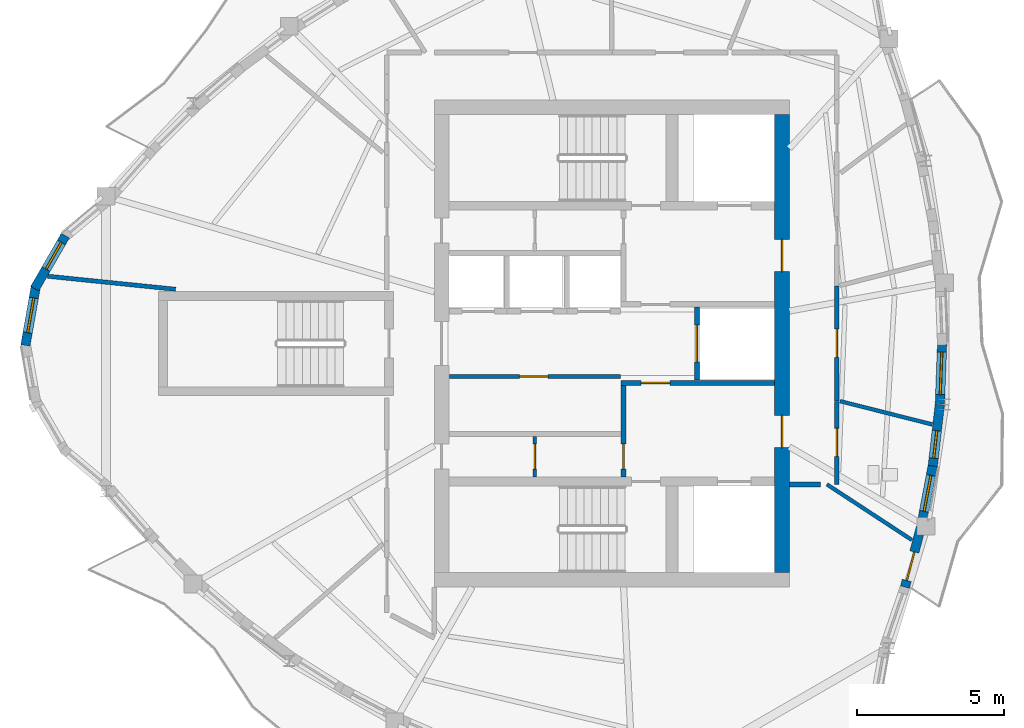
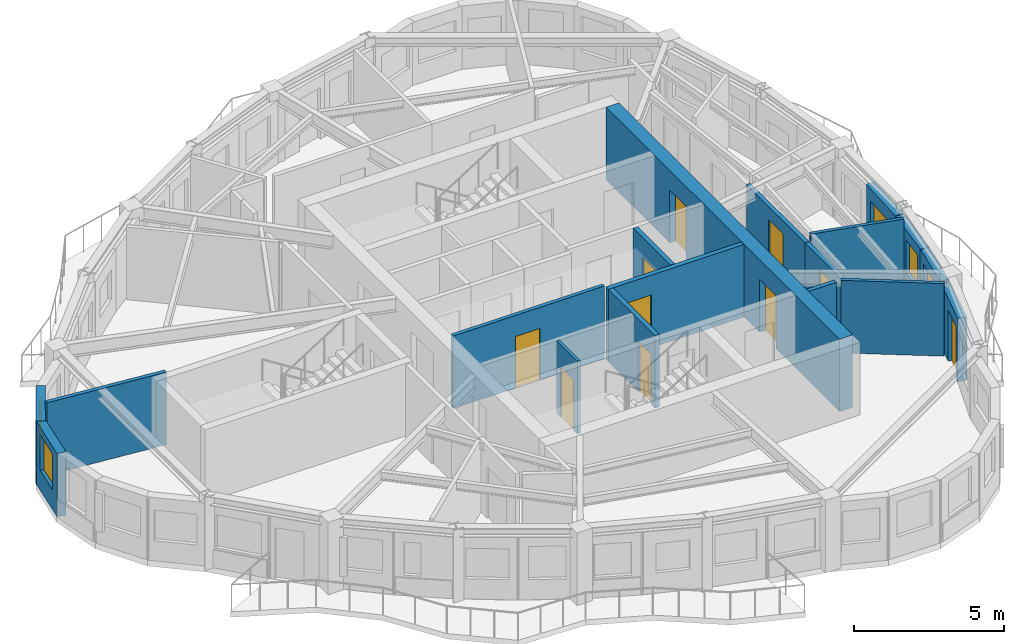
# One storey, part 4 of 11: 18 walls, 10 doors, 5 windows, 15 openings.
"""IFC4 building model written with IfcOpenShell, lengths in metres."""

from ifc_helpers import new_model, si_unit, direction, frame, frame_2d, origin, place, context, subcontext, project, spatial, rectangle, extrude, source, transform, mapped, material, layer, layer_set, type_object, element, fill, save


model = new_model("IFC4")

# Units and contexts
model_context = context("Model", 3, precision=1e-05, world=origin(), true_north=direction((0.0, 1.0)))
body_context = subcontext(model_context, "Body", "Model", "MODEL_VIEW")
ifc_project = project(units=[si_unit("LENGTHUNIT", "METRE"), si_unit("AREAUNIT", "SQUARE_METRE"), si_unit("VOLUMEUNIT", "CUBIC_METRE"), si_unit("PLANEANGLEUNIT", "RADIAN"), si_unit("MASSUNIT", "GRAM", prefix="KILO")], contexts=[model_context])

# Site, building, storey
site_placement = place(None, origin())
site = spatial("IfcSite", under=ifc_project, at=site_placement, CompositionType="ELEMENT")
building_placement = place(site_placement, origin())
building = spatial("IfcBuilding", under=site, at=building_placement, Name="Qafzar Sky-Pleat Residences", CompositionType="ELEMENT")
storey_placement = place(building_placement, frame((0.0, 0.0, 234.0)))
storey = spatial("IfcBuildingStorey", under=building, at=storey_placement, Name="L70", CompositionType="ELEMENT", Elevation=234.0)

# Wall, opening, door
ifc_material_1 = material(Name="Acoustic gypsum plasterboard partition", Category="gypsum")
ifc_layer_1 = layer(ifc_material_1, 0.159912109375)
ifc_layer_set_1 = layer_set([ifc_layer_1], Name="Acoustic gypsum plasterboard partition")
wall_type_1 = type_object("IfcWallType", Name="PART-COR-160", PredefinedType="PARTITIONING", material=ifc_layer_set_1)
wall_1_placement = place(storey_placement, frame((38.02001953125, 27.968994140625, 0.0), z_axis=(0.0, 0.0, 1.0), x_axis=(0.0, -1.0, 0.0)))
wall_1 = element("IfcWall", 1, at=wall_1_placement, inside=storey, type_object=wall_type_1, Name="L70 Partition Wall PART-L70-PW-005", PredefinedType="PARTITIONING", context=body_context, shape_type="SweptSolid", body=[
    extrude(rectangle(XDim=3.919921875, YDim=0.159912109375, at=frame_2d((1.9599609375, 0.0))), origin(), (0.0, 0.0, 1.0), 2.6279296875),
])
opening_1_placement = place(wall_1_placement, frame((1.4794921875, 0.0, 0.0)))
opening_1 = element("IfcOpeningElement", 2, at=opening_1_placement, cuts=wall_1, Name="Opening ID-06", PredefinedType="OPENING", context=body_context, shape_type="SweptSolid", body=[
    extrude(rectangle(XDim=0.9599609375, YDim=2.10009765625, at=frame_2d((0.47998046875, 1.050048828125))), frame((0.0, 0.08984375, 0.0), z_axis=(0.0, -1.0, 0.0), x_axis=(1.0, 0.0, 0.0)), (0.0, 0.0, 1.0), 0.179931640625),
])
ifc_material_2 = material(Name="Timber-faced fire door", Category="wood")
door_type_1 = type_object("IfcDoorType", Name="DR-STD-960", OperationType="NOTDEFINED", PredefinedType="DOOR", material=ifc_material_2)
shared_shape_1 = source(origin(), body_context, "Body", "SweptSolid", [
    extrude(rectangle(XDim=0.9599609375, YDim=2.10009765625, at=frame_2d((0.47998046875, 1.050048828125))), frame((0.0, 0.02490234375, 0.0), z_axis=(0.0, -1.0, 0.0), x_axis=(1.0, 0.0, 0.0)), (0.0, 0.0, 1.0), 0.050048828125),
])
door_1_placement = place(opening_1_placement, origin())
door_1 = element("IfcDoor", 3, at=door_1_placement, inside=storey, type_object=door_type_1, Name="L70 Media Screening Room Door", OperationType="SINGLE_SWING_RIGHT", OverallHeight=2.10009765625, OverallWidth=0.9599609375, PredefinedType="DOOR", context=body_context, shape_type="MappedRepresentation", body=[
    mapped(shared_shape_1, transform((0.0, 0.0, 0.0), x_axis=(1.0, 0.0, 0.0), y_axis=(0.0, 1.0, 0.0), z_axis=(0.0, 0.0, 1.0), scale=1.0)),
])
fill(opening_1, door_1)

wall_2_placement = place(storey_placement, frame((38.02001953125, 24.033935546875, 0.0), z_axis=(0.0, 0.0, 1.0), x_axis=(0.0, -1.0, 0.0)))
wall_2 = element("IfcWall", 4, at=wall_2_placement, inside=storey, type_object=wall_type_1, Name="L70 Partition Wall PART-L70-PW-007", PredefinedType="PARTITIONING", context=body_context, shape_type="SweptSolid", body=[
    extrude(rectangle(XDim=2.833984375, YDim=0.159912109375, at=frame_2d((1.4169921875, 0.0))), origin(), (0.0, 0.0, 1.0), 2.6279296875),
])
opening_2_placement = place(wall_2_placement, frame((0.926513671875, 0.0, 0.0)))
opening_2 = element("IfcOpeningElement", 5, at=opening_2_placement, cuts=wall_2, Name="Opening ID-08", PredefinedType="OPENING", context=body_context, shape_type="SweptSolid", body=[
    extrude(rectangle(XDim=0.949951171875, YDim=2.10009765625, at=frame_2d((0.47509765625, 1.050048828125))), frame((0.0, 0.08984375, 0.0), z_axis=(0.0, -1.0, 0.0), x_axis=(1.0, 0.0, 0.0)), (0.0, 0.0, 1.0), 0.179931640625),
])
door_type_2 = type_object("IfcDoorType", Name="DR-AWC-950", OperationType="NOTDEFINED", PredefinedType="DOOR", material=ifc_material_2)
shared_shape_2 = source(origin(), body_context, "Body", "SweptSolid", [
    extrude(rectangle(XDim=0.949951171875, YDim=2.10009765625, at=frame_2d((0.47509765625, 1.050048828125))), frame((0.0, 0.02490234375, 0.0), z_axis=(0.0, -1.0, 0.0), x_axis=(1.0, 0.0, 0.0)), (0.0, 0.0, 1.0), 0.050048828125),
])
door_2_placement = place(opening_2_placement, origin())
door_2 = element("IfcDoor", 6, at=door_2_placement, inside=storey, type_object=door_type_2, Name="L70 Accessible Shared Washroom Door", OperationType="SINGLE_SWING_RIGHT", OverallHeight=2.10009765625, OverallWidth=0.949951171875, PredefinedType="DOOR", context=body_context, shape_type="MappedRepresentation", body=[
    mapped(shared_shape_2, transform((0.0, 0.0, 0.0), x_axis=(1.0, 0.0, 0.0), y_axis=(0.0, 1.0, 0.0), z_axis=(0.0, 0.0, 1.0), scale=1.0)),
])
fill(opening_2, door_2)

# Wall
wall_3_placement = place(storey_placement, frame((36.407958984375, 21.199951171875, 0.0), z_axis=(0.0, 0.0, 1.0), x_axis=(1.0, 0.0, 0.0)))
element("IfcWall", 7, at=wall_3_placement, inside=storey, type_object=wall_type_1, Name="L70 Partition Wall PART-L70-PW-027", PredefinedType="PARTITIONING", context=body_context, shape_type="SweptSolid", body=[
    extrude(rectangle(XDim=1.06103515625, YDim=0.159912109375, at=frame_2d((0.530517578125, 0.0))), origin(), (0.0, 0.0, 1.0), 2.9599609375),
])

# Wall, opening, door
ifc_material_3 = material(Name="Concrete blockwork partition", Category="masonry")
ifc_layer_2 = layer(ifc_material_3, 0.179931640625)
ifc_layer_set_2 = layer_set([ifc_layer_2], Name="Concrete blockwork partition")
wall_type_2 = type_object("IfcWallType", Name="PART-SHAFT-180", PredefinedType="PARTITIONING", material=ifc_layer_set_2)
wall_4_placement = place(storey_placement, frame((30.75, 21.4599609375, 0.0), z_axis=(0.0, 0.0, 1.0), x_axis=(0.0, 1.0, 0.0)))
wall_4 = element("IfcWall", 8, at=wall_4_placement, inside=storey, type_object=wall_type_2, Name="L70 Partition Wall PART-L70-FFL1-W", PredefinedType="PARTITIONING", context=body_context, shape_type="SweptSolid", body=[
    extrude(rectangle(XDim=3.110107421875, YDim=0.179931640625, at=frame_2d((1.55517578125, 0.0))), origin(), (0.0, 0.0, 1.0), 2.9599609375),
])
opening_3_placement = place(wall_4_placement, frame((0.260009765625, 0.0, 0.0)))
opening_3 = element("IfcOpeningElement", 9, at=opening_3_placement, cuts=wall_4, Name="Opening ID-09", PredefinedType="OPENING", context=body_context, shape_type="SweptSolid", body=[
    extrude(rectangle(XDim=0.860107421875, YDim=2.050048828125, at=frame_2d((0.43017578125, 1.02490234375))), frame((0.0, 0.10009765625, 0.0), z_axis=(0.0, -1.0, 0.0), x_axis=(1.0, 0.0, 0.0)), (0.0, 0.0, 1.0), 0.199951171875),
])
door_type_3 = type_object("IfcDoorType", Name="DR-SVC-860", OperationType="NOTDEFINED", PredefinedType="DOOR", material=ifc_material_2)
shared_shape_3 = source(origin(), body_context, "Body", "SweptSolid", [
    extrude(rectangle(XDim=0.860107421875, YDim=2.050048828125, at=frame_2d((0.43017578125, 1.02490234375))), frame((0.0, 0.02490234375, 0.0), z_axis=(0.0, -1.0, 0.0), x_axis=(1.0, 0.0, 0.0)), (0.0, 0.0, 1.0), 0.050048828125),
])
door_3_placement = place(opening_3_placement, origin())
door_3 = element("IfcDoor", 10, at=door_3_placement, inside=storey, type_object=door_type_3, Name="L70 South Core Cupboard Door", OperationType="SINGLE_SWING_RIGHT", OverallHeight=2.050048828125, OverallWidth=0.860107421875, PredefinedType="DOOR", context=body_context, shape_type="MappedRepresentation", body=[
    mapped(shared_shape_3, transform((0.0, 0.0, 0.0), x_axis=(1.0, 0.0, 0.0), y_axis=(0.0, 1.0, 0.0), z_axis=(0.0, 0.0, 1.0), scale=1.0)),
])
fill(opening_3, door_3)

wall_5_placement = place(storey_placement, frame((30.669921875, 24.659912109375, 0.0), z_axis=(0.0, 0.0, 1.0), x_axis=(1.0, 0.0, 0.0)))
wall_5 = element("IfcWall", 11, at=wall_5_placement, inside=storey, type_object=wall_type_2, Name="L70 Partition Wall PART-L70-FFL1-N", PredefinedType="PARTITIONING", context=body_context, shape_type="SweptSolid", body=[
    extrude(rectangle(XDim=5.219970703125, YDim=0.179931640625, at=frame_2d((2.60986328125, 0.0))), origin(), (0.0, 0.0, 1.0), 2.9599609375),
])
opening_4_placement = place(wall_5_placement, frame((0.679931640625, 0.0, 0.0)))
opening_4 = element("IfcOpeningElement", 12, at=opening_4_placement, cuts=wall_5, Name="Opening ID-01", PredefinedType="OPENING", context=body_context, shape_type="SweptSolid", body=[
    extrude(rectangle(XDim=0.97998046875, YDim=2.14990234375, at=frame_2d((0.489990234375, 1.074951171875))), frame((0.0, 0.10009765625, 0.0), z_axis=(0.0, -1.0, 0.0), x_axis=(1.0, 0.0, 0.0)), (0.0, 0.0, 1.0), 0.199951171875),
])
door_type_4 = type_object("IfcDoorType", Name="DR-STAIR-980", OperationType="NOTDEFINED", PredefinedType="DOOR", material=ifc_material_2)
shared_shape_4 = source(origin(), body_context, "Body", "SweptSolid", [
    extrude(rectangle(XDim=0.97998046875, YDim=2.14990234375, at=frame_2d((0.489990234375, 1.074951171875))), frame((0.0, 0.02490234375, 0.0), z_axis=(0.0, -1.0, 0.0), x_axis=(1.0, 0.0, 0.0)), (0.0, 0.0, 1.0), 0.050048828125),
])
door_4_placement = place(opening_4_placement, origin())
door_4 = element("IfcDoor", 13, at=door_4_placement, inside=storey, type_object=door_type_4, Name="L70 Lift Lobby to South Firefighting Lobby Door", OperationType="SINGLE_SWING_LEFT", OverallHeight=2.14990234375, OverallWidth=0.97998046875, PredefinedType="DOOR", context=body_context, shape_type="MappedRepresentation", body=[
    mapped(shared_shape_4, transform((0.0, 0.0, 0.0), x_axis=(1.0, 0.0, 0.0), y_axis=(0.0, 1.0, 0.0), z_axis=(0.0, 0.0, 1.0), scale=1.0)),
])
fill(opening_4, door_4)

wall_6_placement = place(storey_placement, frame((33.25, 24.760009765625, 0.0), z_axis=(0.0, 0.0, 1.0), x_axis=(0.0, 1.0, 0.0)))
wall_6 = element("IfcWall", 14, at=wall_6_placement, inside=storey, type_object=wall_type_2, Name="L70 Partition Wall PART-L70-SV1-W", PredefinedType="PARTITIONING", context=body_context, shape_type="SweptSolid", body=[
    extrude(rectangle(XDim=2.47998046875, YDim=0.179931640625, at=frame_2d((1.239990234375, 0.0))), origin(), (0.0, 0.0, 1.0), 2.9599609375),
])
opening_5_placement = place(wall_6_placement, frame((0.614990234375, 0.0, 0.0)))
opening_5 = element("IfcOpeningElement", 15, at=opening_5_placement, cuts=wall_6, Name="Opening LD-03", PredefinedType="OPENING", context=body_context, shape_type="SweptSolid", body=[
    extrude(rectangle(XDim=1.25, YDim=2.14990234375, at=frame_2d((0.625, 1.074951171875))), frame((0.0, 0.10009765625, 0.0), z_axis=(0.0, -1.0, 0.0), x_axis=(1.0, 0.0, 0.0)), (0.0, 0.0, 1.0), 0.199951171875),
])
ifc_material_4 = material(Name="Stainless steel sliding landing door", Category="steel")
door_type_5 = type_object("IfcDoorType", Name="DR-LIFT-SV", OperationType="DOUBLE_DOOR_SLIDING", PredefinedType="DOOR", material=ifc_material_4)
shared_shape_5 = source(origin(), body_context, "Body", "SweptSolid", [
    extrude(rectangle(XDim=1.25, YDim=2.14990234375, at=frame_2d((0.625, 1.074951171875))), frame((0.0, 0.02490234375, 0.0), z_axis=(0.0, -1.0, 0.0), x_axis=(1.0, 0.0, 0.0)), (0.0, 0.0, 1.0), 0.050048828125),
])
door_5_placement = place(opening_5_placement, origin())
door_5 = element("IfcDoor", 16, at=door_5_placement, inside=storey, type_object=door_type_5, Name="L70 Service Lift SV1 Landing Door", OperationType="DOUBLE_DOOR_SLIDING", OverallHeight=2.14990234375, OverallWidth=1.25, PredefinedType="DOOR", context=body_context, shape_type="MappedRepresentation", body=[
    mapped(shared_shape_5, transform((0.0, 0.0, 0.0), x_axis=(1.0, 0.0, 0.0), y_axis=(0.0, 1.0, 0.0), z_axis=(0.0, 0.0, 1.0), scale=1.0)),
])
fill(opening_5, door_5)

ifc_material_5 = material(Name="Gypsum plasterboard partition", Category="gypsum")
ifc_layer_3 = layer(ifc_material_5, 0.114990234375)
ifc_layer_set_3 = layer_set([ifc_layer_3], Name="Gypsum plasterboard partition")
wall_type_3 = type_object("IfcWallType", Name="PART-SVC-115", PredefinedType="PARTITIONING", material=ifc_layer_set_3)
wall_7_placement = place(storey_placement, frame((27.72509765625, 21.4599609375, 0.0), z_axis=(0.0, 0.0, 1.0), x_axis=(0.0, 1.0, 0.0)))
wall_7 = element("IfcWall", 17, at=wall_7_placement, inside=storey, type_object=wall_type_3, Name="L70 Partition Wall PART-L70-KB-SW", PredefinedType="PARTITIONING", context=body_context, shape_type="SweptSolid", body=[
    extrude(rectangle(XDim=1.380126953125, YDim=0.114990234375, at=frame_2d((0.68994140625, 0.0))), origin(), (0.0, 0.0, 1.0), 2.9599609375),
])
opening_6_placement = place(wall_7_placement, frame((0.260009765625, 0.0, 0.0)))
opening_6 = element("IfcOpeningElement", 18, at=opening_6_placement, cuts=wall_7, Name="Opening ID-09", PredefinedType="OPENING", context=body_context, shape_type="SweptSolid", body=[
    extrude(rectangle(XDim=0.860107421875, YDim=2.050048828125, at=frame_2d((0.43017578125, 1.02490234375))), frame((0.0, 0.0673828125, 0.0), z_axis=(0.0, -1.0, 0.0), x_axis=(1.0, 0.0, 0.0)), (0.0, 0.0, 1.0), 0.135009765625),
])
door_6_placement = place(opening_6_placement, origin())
door_6 = element("IfcDoor", 19, at=door_6_placement, inside=storey, type_object=door_type_3, Name="L70 BMS Metering Cupboard Door", OperationType="SINGLE_SWING_LEFT", OverallHeight=2.050048828125, OverallWidth=0.860107421875, PredefinedType="DOOR", context=body_context, shape_type="MappedRepresentation", body=[
    mapped(shared_shape_3, transform((0.0, 0.0, 0.0), x_axis=(1.0, 0.0, 0.0), y_axis=(0.0, 1.0, 0.0), z_axis=(0.0, 0.0, 1.0), scale=1.0)),
])
fill(opening_6, door_6)

ifc_layer_4 = layer(ifc_material_1, 0.14501953125)
ifc_layer_set_4 = layer_set([ifc_layer_4], Name="Acoustic gypsum plasterboard partition")
wall_type_4 = type_object("IfcWallType", Name="PART-UNIT-145", PredefinedType="PARTITIONING", material=ifc_layer_set_4)
wall_8_placement = place(storey_placement, frame((24.81005859375, 24.8798828125, 0.0), z_axis=(0.0, 0.0, 1.0), x_axis=(1.0, 0.0, 0.0)))
wall_8 = element("IfcWall", 20, at=wall_8_placement, inside=storey, type_object=wall_type_4, Name="L70 Partition Wall PART-L70-RECLAIM-N", PredefinedType="PARTITIONING", context=body_context, shape_type="SweptSolid", body=[
    extrude(rectangle(XDim=5.83984375, YDim=0.14501953125, at=frame_2d((2.919921875, 0.0))), origin(), (0.0, 0.0, 1.0), 2.9599609375),
])
opening_7_placement = place(wall_8_placement, frame((2.39990234375, 0.0, 0.0)))
opening_7 = element("IfcOpeningElement", 21, at=opening_7_placement, cuts=wall_8, Name="Opening ID-06", PredefinedType="OPENING", context=body_context, shape_type="SweptSolid", body=[
    extrude(rectangle(XDim=0.9599609375, YDim=2.10009765625, at=frame_2d((0.47998046875, 1.050048828125))), frame((0.0, 0.08251953125, 0.0), z_axis=(0.0, -1.0, 0.0), x_axis=(1.0, 0.0, 0.0)), (0.0, 0.0, 1.0), 0.1650390625),
])
door_7_placement = place(opening_7_placement, origin())
door_7 = element("IfcDoor", 22, at=door_7_placement, inside=storey, type_object=door_type_1, Name="L70 Reclaimed Resident Laundry Room Door", OperationType="SINGLE_SWING_RIGHT", OverallHeight=2.10009765625, OverallWidth=0.9599609375, PredefinedType="DOOR", context=body_context, shape_type="MappedRepresentation", body=[
    mapped(shared_shape_1, transform((0.0, 0.0, 0.0), x_axis=(1.0, 0.0, 0.0), y_axis=(0.0, 1.0, 0.0), z_axis=(0.0, 0.0, 1.0), scale=1.0)),
])
fill(opening_7, door_7)

# Walls
wall_9_placement = place(storey_placement, frame((11.1220703125, 28.29541015625, 0.0), z_axis=(0.0, 0.0, 1.0), x_axis=(0.994824263869, -0.101610452307, 0.0)))
element("IfcWall", 23, at=wall_9_placement, inside=storey, type_object=wall_type_4, Name="L70 Partition Wall PART-L70-PW-015", PredefinedType="PARTITIONING", context=body_context, shape_type="SweptSolid", body=[
    extrude(rectangle(XDim=4.382568359375, YDim=0.14501953125, at=frame_2d((2.19140625, 0.0))), origin(), (0.0, 0.0, 1.0), 2.9599609375),
])
ifc_material_6 = material(Name="Moisture-resistant gypsum partition", Category="gypsum")
ifc_layer_5 = layer(ifc_material_6, 0.1298828125)
ifc_layer_set_5 = layer_set([ifc_layer_5], Name="Moisture-resistant gypsum partition")
wall_type_5 = type_object("IfcWallType", Name="PART-WET-130", PredefinedType="PARTITIONING", material=ifc_layer_set_5)
wall_10_placement = place(storey_placement, frame((37.681884765625, 21.199951171875, 0.0), z_axis=(0.0, 0.0, 1.0), x_axis=(0.836735641589, -0.547607036199, 0.0)))
element("IfcWall", 24, at=wall_10_placement, inside=storey, type_object=wall_type_5, Name="L70 Partition Wall PART-L70-PW-016", PredefinedType="PARTITIONING", context=body_context, shape_type="SweptSolid", body=[
    extrude(rectangle(XDim=3.45703125, YDim=0.1298828125, at=frame_2d((1.728515625, 0.0))), origin(), (0.0, 0.0, 1.0), 2.9599609375),
])
wall_11_placement = place(storey_placement, frame((38.123779296875, 24.038818359375, 0.0), z_axis=(0.0, 0.0, 1.0), x_axis=(0.969564932613, -0.244834314275, 0.0)))
element("IfcWall", 25, at=wall_11_placement, inside=storey, type_object=wall_type_5, Name="L70 Partition Wall PART-L70-PW-017", PredefinedType="PARTITIONING", context=body_context, shape_type="SweptSolid", body=[
    extrude(rectangle(XDim=3.247802734375, YDim=0.1298828125, at=frame_2d((1.6240234375, 0.0))), origin(), (0.0, 0.0, 1.0), 2.9599609375),
])

# Wall, opening, window
ifc_material_7 = material(Name="Precast concrete C40/50 with honed Riyadh limestone", Category="concrete")
ifc_layer_6 = layer(ifc_material_7, 0.320068359375)
ifc_layer_set_6 = layer_set([ifc_layer_6], Name="Precast concrete C40/50 with honed Riyadh limestone")
wall_type_6 = type_object("IfcWallType", Name="WALL-EXT-320", PredefinedType="SOLIDWALL", material=ifc_layer_set_6)
wall_12_placement = place(storey_placement, frame((11.724609375, 29.68115234375, 0.0), z_axis=(0.0, 0.0, 1.0), x_axis=(-0.499995423472, -0.866028046028, 0.0)))
wall_12 = element("IfcWall", 26, at=wall_12_placement, inside=storey, type_object=wall_type_6, Name="L70 Limestone Facade Wall 2", PredefinedType="SOLIDWALL", context=body_context, shape_type="SweptSolid", body=[
    extrude(rectangle(XDim=2.09033203125, YDim=0.320068359375, at=frame_2d((1.045166015625, 0.0))), origin(), (0.0, 0.0, 1.0), 2.580078125),
])
opening_8_placement = place(wall_12_placement, frame((0.27001953125, 0.0, 0.820068359375)))
opening_8 = element("IfcOpeningElement", 27, at=opening_8_placement, cuts=wall_12, Name="Opening WN-06", PredefinedType="OPENING", context=body_context, shape_type="SweptSolid", body=[
    extrude(rectangle(XDim=1.050048828125, YDim=1.449951171875, at=frame_2d((0.52490234375, 0.72509765625))), frame((0.0, 0.169921875, 0.0), z_axis=(0.0, -1.0, 0.0), x_axis=(1.0, 0.0, 0.0)), (0.0, 0.0, 1.0), 0.340087890625),
])
ifc_material_8 = material(Name="Solar-control low-E glass in bronze aluminium frame", Category="glass")
window_type_1 = type_object("IfcWindowType", Name="WIN-06", PartitioningType="SINGLE_PANEL", PredefinedType="WINDOW", material=ifc_material_8)
shared_shape_6 = source(origin(), body_context, "Body", "SweptSolid", [
    extrude(rectangle(XDim=1.050048828125, YDim=1.449951171875, at=frame_2d((0.52490234375, 0.72509765625))), frame((0.0, 0.030029296875, 0.0), z_axis=(0.0, -1.0, 0.0), x_axis=(1.0, 0.0, 0.0)), (0.0, 0.0, 1.0), 0.06005859375),
])
window_1_placement = place(opening_8_placement, origin())
window_1 = element("IfcWindow", 28, at=window_1_placement, inside=storey, type_object=window_type_1, Name="L70 Punched Facade Window 02", OverallHeight=1.449951171875, OverallWidth=1.050048828125, PartitioningType="SINGLE_PANEL", PredefinedType="WINDOW", context=body_context, shape_type="MappedRepresentation", body=[
    mapped(shared_shape_6, transform((0.0, 0.0, 0.0), x_axis=(1.0, 0.0, 0.0), y_axis=(0.0, 1.0, 0.0), z_axis=(0.0, 0.0, 1.0), scale=1.0)),
])
fill(opening_8, window_1)

wall_13_placement = place(storey_placement, frame((10.72412109375, 27.993408203125, 0.0), z_axis=(0.0, 0.0, 1.0), x_axis=(-0.173672066494, -0.984803540469, 0.0)))
wall_13 = element("IfcWall", 29, at=wall_13_placement, inside=storey, type_object=wall_type_6, Name="L70 Limestone Facade Wall 3", PredefinedType="SOLIDWALL", context=body_context, shape_type="SweptSolid", body=[
    extrude(rectangle(XDim=2.09033203125, YDim=0.320068359375, at=frame_2d((1.045166015625, 0.0))), origin(), (0.0, 0.0, 1.0), 2.580078125),
])
opening_9_placement = place(wall_13_placement, frame((0.4453125, 0.0, 0.820068359375)))
opening_9 = element("IfcOpeningElement", 30, at=opening_9_placement, cuts=wall_13, Name="Opening WN-05", PredefinedType="OPENING", context=body_context, shape_type="SweptSolid", body=[
    extrude(rectangle(XDim=1.199951171875, YDim=1.449951171875, at=frame_2d((0.60009765625, 0.72509765625))), frame((0.0, 0.169921875, 0.0), z_axis=(0.0, -1.0, 0.0), x_axis=(1.0, 0.0, 0.0)), (0.0, 0.0, 1.0), 0.340087890625),
])
window_type_2 = type_object("IfcWindowType", Name="WIN-05", PartitioningType="SINGLE_PANEL", PredefinedType="WINDOW", material=ifc_material_8)
shared_shape_7 = source(origin(), body_context, "Body", "SweptSolid", [
    extrude(rectangle(XDim=1.199951171875, YDim=1.449951171875, at=frame_2d((0.60009765625, 0.72509765625))), frame((0.0, 0.030029296875, 0.0), z_axis=(0.0, -1.0, 0.0), x_axis=(1.0, 0.0, 0.0)), (0.0, 0.0, 1.0), 0.06005859375),
])
window_2_placement = place(opening_9_placement, origin())
window_2 = element("IfcWindow", 31, at=window_2_placement, inside=storey, type_object=window_type_2, Name="L70 Punched Facade Window 03", OverallHeight=1.449951171875, OverallWidth=1.199951171875, PartitioningType="SINGLE_PANEL", PredefinedType="WINDOW", context=body_context, shape_type="MappedRepresentation", body=[
    mapped(shared_shape_7, transform((0.0, 0.0, 0.0), x_axis=(1.0, 0.0, 0.0), y_axis=(0.0, 1.0, 0.0), z_axis=(0.0, 0.0, 1.0), scale=1.0)),
])
fill(opening_9, window_2)

# Wall, opening, door
wall_14_placement = place(storey_placement, frame((40.3408203125, 17.697509765625, 0.0), z_axis=(0.0, 0.0, 1.0), x_axis=(0.257053933935, 0.966397058692, 0.0)))
wall_14 = element("IfcWall", 32, at=wall_14_placement, inside=storey, type_object=wall_type_6, Name="L70 Limestone Facade Wall 24", PredefinedType="SOLIDWALL", context=body_context, shape_type="SweptSolid", body=[
    extrude(rectangle(XDim=2.09716796875, YDim=0.320068359375, at=frame_2d((1.048583984375, 0.0))), origin(), (0.0, 0.0, 1.0), 2.580078125),
])
opening_10_placement = place(wall_14_placement, frame((0.239990234375, 0.0, 0.0)))
opening_10 = element("IfcOpeningElement", 33, at=opening_10_placement, cuts=wall_14, Name="Opening ED-05", PredefinedType="OPENING", context=body_context, shape_type="SweptSolid", body=[
    extrude(rectangle(XDim=1.0, YDim=2.10009765625, at=frame_2d((0.5, 1.050048828125))), frame((0.0, 0.169921875, 0.0), z_axis=(0.0, -1.0, 0.0), x_axis=(1.0, 0.0, 0.0)), (0.0, 0.0, 1.0), 0.340087890625),
])
ifc_material_9 = material(Name="Glazed bronze aluminium door", Category="aluminium")
door_type_6 = type_object("IfcDoorType", Name="DR-BAL-1000", OperationType="NOTDEFINED", PredefinedType="DOOR", material=ifc_material_9)
shared_shape_8 = source(origin(), body_context, "Body", "SweptSolid", [
    extrude(rectangle(XDim=1.0, YDim=2.10009765625, at=frame_2d((0.5, 1.050048828125))), frame((0.0, 0.02490234375, 0.0), z_axis=(0.0, -1.0, 0.0), x_axis=(1.0, 0.0, 0.0)), (0.0, 0.0, 1.0), 0.050048828125),
])
door_8_placement = place(opening_10_placement, origin())
door_8 = element("IfcDoor", 34, at=door_8_placement, inside=storey, type_object=door_type_6, Name="L70 Glazed Balcony Door 1", OperationType="SINGLE_SWING_LEFT", OverallHeight=2.10009765625, OverallWidth=1.0, PredefinedType="DOOR", context=body_context, shape_type="MappedRepresentation", body=[
    mapped(shared_shape_8, transform((0.0, 0.0, 0.0), x_axis=(1.0, 0.0, 0.0), y_axis=(0.0, 1.0, 0.0), z_axis=(0.0, 0.0, 1.0), scale=1.0)),
])
fill(opening_10, door_8)

# Wall, opening, window
wall_15_placement = place(storey_placement, frame((40.917236328125, 19.88818359375, 0.0), z_axis=(0.0, 0.0, 1.0), x_axis=(0.186611504025, 0.98243378737, 0.0)))
wall_15 = element("IfcWall", 35, at=wall_15_placement, inside=storey, type_object=wall_type_6, Name="L70 Limestone Facade Wall 25", PredefinedType="SOLIDWALL", context=body_context, shape_type="SweptSolid", body=[
    extrude(rectangle(XDim=2.061767578125, YDim=0.320068359375, at=frame_2d((1.03076171875, 0.0))), origin(), (0.0, 0.0, 1.0), 2.580078125),
])
opening_11_placement = place(wall_15_placement, frame((0.40087890625, 0.0, 0.820068359375)))
opening_11 = element("IfcOpeningElement", 36, at=opening_11_placement, cuts=wall_15, Name="Opening WN-11", PredefinedType="OPENING", context=body_context, shape_type="SweptSolid", body=[
    extrude(rectangle(XDim=1.25, YDim=1.35009765625, at=frame_2d((0.625, 0.675048828125))), frame((0.0, 0.169921875, 0.0), z_axis=(0.0, -1.0, 0.0), x_axis=(1.0, 0.0, 0.0)), (0.0, 0.0, 1.0), 0.340087890625),
])
window_type_3 = type_object("IfcWindowType", Name="WIN-11", PartitioningType="SINGLE_PANEL", PredefinedType="WINDOW", material=ifc_material_8)
shared_shape_9 = source(origin(), body_context, "Body", "SweptSolid", [
    extrude(rectangle(XDim=1.25, YDim=1.35009765625, at=frame_2d((0.625, 0.675048828125))), frame((0.0, 0.030029296875, 0.0), z_axis=(0.0, -1.0, 0.0), x_axis=(1.0, 0.0, 0.0)), (0.0, 0.0, 1.0), 0.06005859375),
])
window_3_placement = place(opening_11_placement, origin())
window_3 = element("IfcWindow", 37, at=window_3_placement, inside=storey, type_object=window_type_3, Name="L70 Punched Facade Window 25", OverallHeight=1.35009765625, OverallWidth=1.25, PartitioningType="SINGLE_PANEL", PredefinedType="WINDOW", context=body_context, shape_type="MappedRepresentation", body=[
    mapped(shared_shape_9, transform((0.0, 0.0, 0.0), x_axis=(1.0, 0.0, 0.0), y_axis=(0.0, 1.0, 0.0), z_axis=(0.0, 0.0, 1.0), scale=1.0)),
])
fill(opening_11, window_3)

wall_16_placement = place(storey_placement, frame((41.288818359375, 21.826904296875, 0.0), z_axis=(0.0, 0.0, 1.0), x_axis=(0.113366965958, 0.993553184802, 0.0)))
wall_16 = element("IfcWall", 38, at=wall_16_placement, inside=storey, type_object=wall_type_6, Name="L70 Limestone Facade Wall 26", PredefinedType="SOLIDWALL", context=body_context, shape_type="SweptSolid", body=[
    extrude(rectangle(XDim=2.1083984375, YDim=0.320068359375, at=frame_2d((1.05419921875, 0.0))), origin(), (0.0, 0.0, 1.0), 2.580078125),
])
opening_12_placement = place(wall_16_placement, frame((0.26611328125, 0.0, 0.820068359375)))
opening_12 = element("IfcOpeningElement", 39, at=opening_12_placement, cuts=wall_16, Name="Opening WN-12", PredefinedType="OPENING", context=body_context, shape_type="SweptSolid", body=[
    extrude(rectangle(XDim=0.949951171875, YDim=1.35009765625, at=frame_2d((0.47509765625, 0.675048828125))), frame((0.0, 0.169921875, 0.0), z_axis=(0.0, -1.0, 0.0), x_axis=(1.0, 0.0, 0.0)), (0.0, 0.0, 1.0), 0.340087890625),
])
window_type_4 = type_object("IfcWindowType", Name="WIN-12", PartitioningType="SINGLE_PANEL", PredefinedType="WINDOW", material=ifc_material_8)
shared_shape_10 = source(origin(), body_context, "Body", "SweptSolid", [
    extrude(rectangle(XDim=0.949951171875, YDim=1.35009765625, at=frame_2d((0.47509765625, 0.675048828125))), frame((0.0, 0.030029296875, 0.0), z_axis=(0.0, -1.0, 0.0), x_axis=(1.0, 0.0, 0.0)), (0.0, 0.0, 1.0), 0.06005859375),
])
window_4_placement = place(opening_12_placement, origin())
window_4 = element("IfcWindow", 40, at=window_4_placement, inside=storey, type_object=window_type_4, Name="L70 Punched Facade Window 26", OverallHeight=1.35009765625, OverallWidth=0.949951171875, PartitioningType="SINGLE_PANEL", PredefinedType="WINDOW", context=body_context, shape_type="MappedRepresentation", body=[
    mapped(shared_shape_10, transform((0.0, 0.0, 0.0), x_axis=(1.0, 0.0, 0.0), y_axis=(0.0, 1.0, 0.0), z_axis=(0.0, 0.0, 1.0), scale=1.0)),
])
fill(opening_12, window_4)

wall_17_placement = place(storey_placement, frame((41.52978515625, 23.949462890625, 0.0), z_axis=(0.0, 0.0, 1.0), x_axis=(0.038088671965, 0.99927436326, 0.0)))
wall_17 = element("IfcWall", 41, at=wall_17_placement, inside=storey, type_object=wall_type_6, Name="L70 Limestone Facade Wall 27", PredefinedType="SOLIDWALL", context=body_context, shape_type="SweptSolid", body=[
    extrude(rectangle(XDim=2.095947265625, YDim=0.320068359375, at=frame_2d((1.0478515625, 0.0))), origin(), (0.0, 0.0, 1.0), 2.580078125),
])
opening_13_placement = place(wall_17_placement, frame((0.31298828125, 0.0, 0.820068359375)))
opening_13 = element("IfcOpeningElement", 42, at=opening_13_placement, cuts=wall_17, Name="Opening WN-15", PredefinedType="OPENING", context=body_context, shape_type="SweptSolid", body=[
    extrude(rectangle(XDim=1.449951171875, YDim=1.25, at=frame_2d((0.72509765625, 0.625))), frame((0.0, 0.169921875, 0.0), z_axis=(0.0, -1.0, 0.0), x_axis=(1.0, 0.0, 0.0)), (0.0, 0.0, 1.0), 0.340087890625),
])
window_type_5 = type_object("IfcWindowType", Name="WIN-15", PartitioningType="SINGLE_PANEL", PredefinedType="WINDOW", material=ifc_material_8)
shared_shape_11 = source(origin(), body_context, "Body", "SweptSolid", [
    extrude(rectangle(XDim=1.449951171875, YDim=1.25, at=frame_2d((0.72509765625, 0.625))), frame((0.0, 0.030029296875, 0.0), z_axis=(0.0, -1.0, 0.0), x_axis=(1.0, 0.0, 0.0)), (0.0, 0.0, 1.0), 0.06005859375),
])
window_5_placement = place(opening_13_placement, origin())
window_5 = element("IfcWindow", 43, at=window_5_placement, inside=storey, type_object=window_type_5, Name="L70 Punched Facade Window 27", OverallHeight=1.25, OverallWidth=1.449951171875, PartitioningType="SINGLE_PANEL", PredefinedType="WINDOW", context=body_context, shape_type="MappedRepresentation", body=[
    mapped(shared_shape_11, transform((0.0, 0.0, 0.0), x_axis=(1.0, 0.0, 0.0), y_axis=(0.0, 1.0, 0.0), z_axis=(0.0, 0.0, 1.0), scale=1.0)),
])
fill(opening_13, window_5)

# Wall, openings, doors
ifc_material_10 = material(Name="Concrete C60/75", Category="concrete")
ifc_layer_7 = layer(ifc_material_10, 0.5)
ifc_layer_set_7 = layer_set([ifc_layer_7], Name="Concrete C60/75")
wall_type_7 = type_object("IfcWallType", Name="WALL-SHEAR-500", PredefinedType="SHEAR", material=ifc_layer_set_7)
wall_18_placement = place(storey_placement, frame((36.14990234375, 18.199951171875, 0.0), z_axis=(0.0, 0.0, 1.0), x_axis=(0.0, 1.0, 0.0)))
wall_18 = element("IfcWall", 44, at=wall_18_placement, inside=storey, type_object=wall_type_7, Name="L70 CORE wall E", PredefinedType="SHEAR", context=body_context, shape_type="SweptSolid", body=[
    extrude(rectangle(XDim=15.60009765625, YDim=0.5, at=frame_2d((7.800048828125, 0.0))), origin(), (0.0, 0.0, 1.0), 2.9599609375),
])
opening_14_placement = place(wall_18_placement, frame((4.25, 0.0, 0.0)))
opening_14 = element("IfcOpeningElement", 45, at=opening_14_placement, cuts=wall_18, Name="Opening ID-02", PredefinedType="OPENING", context=body_context, shape_type="SweptSolid", body=[
    extrude(rectangle(XDim=1.10009765625, YDim=2.14990234375, at=frame_2d((0.550048828125, 1.074951171875))), frame((0.0, 0.260009765625, 0.0), z_axis=(0.0, -1.0, 0.0), x_axis=(1.0, 0.0, 0.0)), (0.0, 0.0, 1.0), 0.52001953125),
])
opening_15_placement = place(wall_18_placement, frame((10.25, 0.0, 0.0)))
opening_15 = element("IfcOpeningElement", 46, at=opening_15_placement, cuts=wall_18, Name="Opening ID-02", PredefinedType="OPENING", context=body_context, shape_type="SweptSolid", body=[
    extrude(rectangle(XDim=1.10009765625, YDim=2.14990234375, at=frame_2d((0.550048828125, 1.074951171875))), frame((0.0, 0.260009765625, 0.0), z_axis=(0.0, -1.0, 0.0), x_axis=(1.0, 0.0, 0.0)), (0.0, 0.0, 1.0), 0.52001953125),
])
door_type_7 = type_object("IfcDoorType", Name="DR-FFL-1100", OperationType="NOTDEFINED", PredefinedType="DOOR", material=ifc_material_2)
shared_shape_12 = source(origin(), body_context, "Body", "SweptSolid", [
    extrude(rectangle(XDim=1.10009765625, YDim=2.14990234375, at=frame_2d((0.550048828125, 1.074951171875))), frame((0.0, 0.02490234375, 0.0), z_axis=(0.0, -1.0, 0.0), x_axis=(1.0, 0.0, 0.0)), (0.0, 0.0, 1.0), 0.050048828125),
])
door_9_placement = place(opening_14_placement, origin())
door_9 = element("IfcDoor", 47, at=door_9_placement, inside=storey, type_object=door_type_7, Name="L70 Firefighting Lobby South Corridor Door", OperationType="SINGLE_SWING_RIGHT", OverallHeight=2.14990234375, OverallWidth=1.10009765625, PredefinedType="DOOR", context=body_context, shape_type="MappedRepresentation", body=[
    mapped(shared_shape_12, transform((0.0, 0.0, 0.0), x_axis=(1.0, 0.0, 0.0), y_axis=(0.0, 1.0, 0.0), z_axis=(0.0, 0.0, 1.0), scale=1.0)),
])
fill(opening_14, door_9)
door_10_placement = place(opening_15_placement, origin())
door_10 = element("IfcDoor", 48, at=door_10_placement, inside=storey, type_object=door_type_7, Name="L70 Firefighting Lobby North Corridor Door", OperationType="SINGLE_SWING_LEFT", OverallHeight=2.14990234375, OverallWidth=1.10009765625, PredefinedType="DOOR", context=body_context, shape_type="MappedRepresentation", body=[
    mapped(shared_shape_12, transform((0.0, 0.0, 0.0), x_axis=(1.0, 0.0, 0.0), y_axis=(0.0, 1.0, 0.0), z_axis=(0.0, 0.0, 1.0), scale=1.0)),
])
fill(opening_15, door_10)

save(model, "model.ifc")
